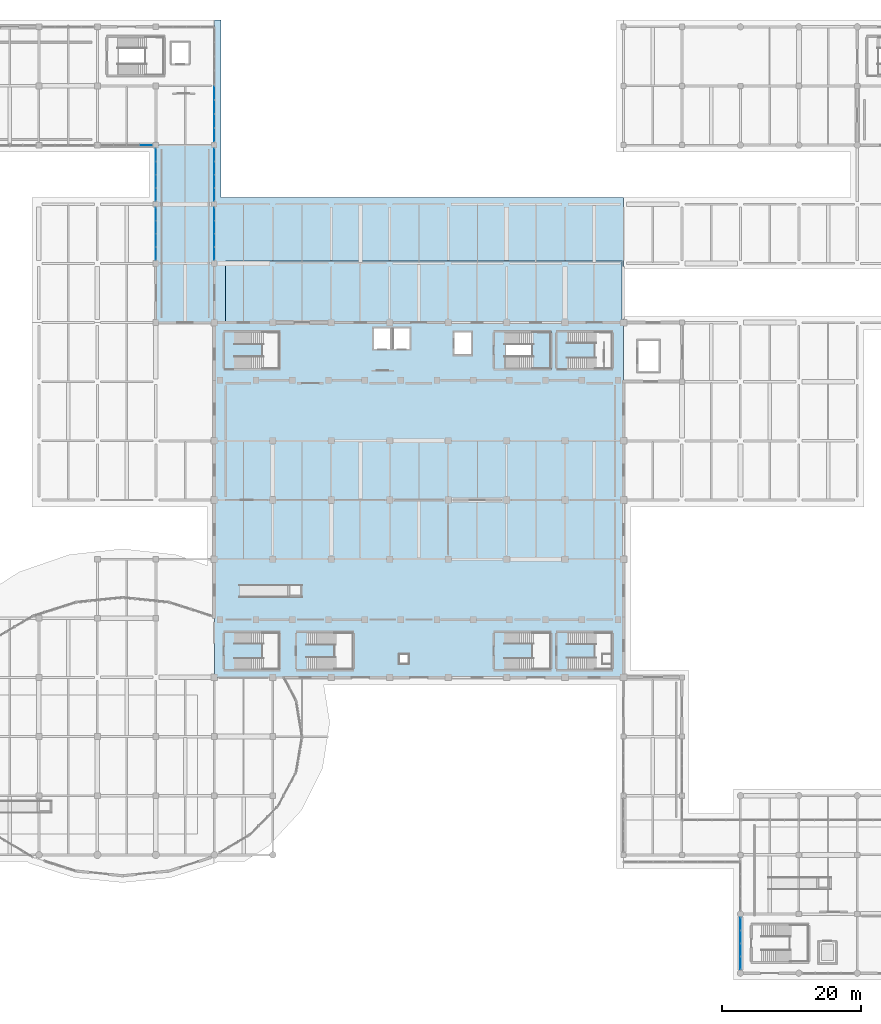
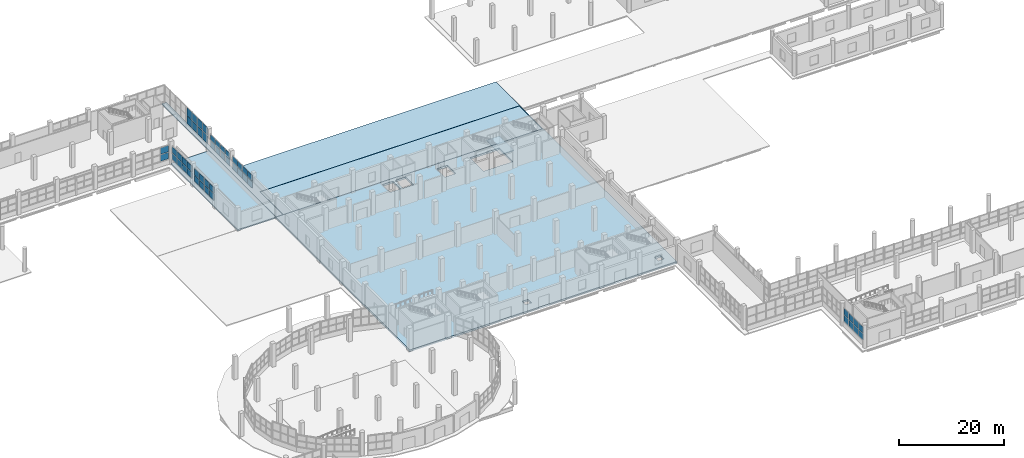
# One storey, part 79 of 107: 50 plates, 5 slabs, 8 elements without a shape of their own.
"""IFC4 building model written with IfcOpenShell, lengths in metres."""

from ifc_helpers import new_model, si_unit, direction, frame, origin, origin_2d, place, context, subcontext, project, spatial, polyline, rectangle, outline, extrude, material, layer, layer_set, type_object, element, aggregate, save


model = new_model("IFC4")

# Units and contexts
model_context = context("Model", 3, precision=1e-05, world=origin(), true_north=direction((0.0, 1.0)))
body_context = subcontext(model_context, "Body", "Model", "MODEL_VIEW")
ifc_project = project(units=[si_unit("LENGTHUNIT", "METRE"), si_unit("AREAUNIT", "SQUARE_METRE"), si_unit("VOLUMEUNIT", "CUBIC_METRE"), si_unit("PLANEANGLEUNIT", "RADIAN"), si_unit("MASSUNIT", "GRAM", prefix="KILO")], contexts=[model_context])

# Site, building, storey
site_placement = place(None, origin())
site = spatial("IfcSite", under=ifc_project, at=site_placement, CompositionType="ELEMENT")
building_placement = place(site_placement, origin())
building = spatial("IfcBuilding", under=site, at=building_placement, Name="Solvento Point Concert Hall", CompositionType="ELEMENT")
storey_placement = place(building_placement, origin())
storey = spatial("IfcBuildingStorey", under=building, at=storey_placement, Name="L00", CompositionType="ELEMENT", Elevation=0.0)

# Curtain wall, plates
ifc_material_1 = material(Name="Anodized Bronze Aluminium", Category="aluminium")
curtain_wall_type_1 = type_object("IfcCurtainWallType", Name="CurtainWall_CafeVeranda", PredefinedType="USERDEFINED", material=ifc_material_1)
curtain_wall_1_placement = place(storey_placement, origin())
curtain_wall_1 = element("IfcCurtainWall", 1, at=curtain_wall_1_placement, inside=storey, type_object=curtain_wall_type_1, Name="Unitised curtain wall CW-42 UCW-L00-052", ObjectType="UNITISED CURTAIN WALL", PredefinedType="USERDEFINED")
ifc_material_2 = material(Name="Hurricane Laminated Low-E Glass", Category="glass")
plate_type_1 = type_object("IfcPlateType", Name="CurtainPanel_CafeVeranda", PredefinedType="CURTAIN_PANEL", material=ifc_material_2)
plate_1_placement = place(storey_placement, frame((150.0, 1.4375, 1.239990234375), z_axis=(0.0, 0.0, 1.0), x_axis=(0.0, 1.0, 0.0)))
plate_1 = element("IfcPlate", 2, at=plate_1_placement, type_object=plate_type_1, Name="Glazed curtain panel GL-04", PredefinedType="CURTAIN_PANEL", context=body_context, shape_type="SweptSolid", body=[
    extrude(rectangle(XDim=1.7548828125, YDim=0.0400390625, at=origin_2d()), origin(), (0.0, 0.0, 1.0), 1.43798828125),
])
plate_2_placement = place(storey_placement, frame((150.0, 1.4375, 2.798095703125), z_axis=(0.0, 0.0, 1.0), x_axis=(0.0, 1.0, 0.0)))
plate_2 = element("IfcPlate", 3, at=plate_2_placement, type_object=plate_type_1, Name="Glazed curtain panel GL-04", PredefinedType="CURTAIN_PANEL", context=body_context, shape_type="SweptSolid", body=[
    extrude(rectangle(XDim=1.7548828125, YDim=0.0400390625, at=origin_2d()), origin(), (0.0, 0.0, 1.0), 1.43798828125),
])
plate_3_placement = place(storey_placement, frame((150.0, 3.3125, 1.239990234375), z_axis=(0.0, 0.0, 1.0), x_axis=(0.0, 1.0, 0.0)))
plate_3 = element("IfcPlate", 4, at=plate_3_placement, type_object=plate_type_1, Name="Glazed curtain panel GL-04", PredefinedType="CURTAIN_PANEL", context=body_context, shape_type="SweptSolid", body=[
    extrude(rectangle(XDim=1.7548828125, YDim=0.0400390625, at=origin_2d()), origin(), (0.0, 0.0, 1.0), 1.43798828125),
])
plate_4_placement = place(storey_placement, frame((150.0, 3.3125, 2.798095703125), z_axis=(0.0, 0.0, 1.0), x_axis=(0.0, 1.0, 0.0)))
plate_4 = element("IfcPlate", 5, at=plate_4_placement, type_object=plate_type_1, Name="Glazed curtain panel GL-04", PredefinedType="CURTAIN_PANEL", context=body_context, shape_type="SweptSolid", body=[
    extrude(rectangle(XDim=1.7548828125, YDim=0.0400390625, at=origin_2d()), origin(), (0.0, 0.0, 1.0), 1.43798828125),
])
plate_5_placement = place(storey_placement, frame((150.0, 5.1875, 1.239990234375), z_axis=(0.0, 0.0, 1.0), x_axis=(0.0, 1.0, 0.0)))
plate_5 = element("IfcPlate", 6, at=plate_5_placement, type_object=plate_type_1, Name="Glazed curtain panel GL-04", PredefinedType="CURTAIN_PANEL", context=body_context, shape_type="SweptSolid", body=[
    extrude(rectangle(XDim=1.7548828125, YDim=0.0400390625, at=origin_2d()), origin(), (0.0, 0.0, 1.0), 1.43798828125),
])
plate_6_placement = place(storey_placement, frame((150.0, 5.1875, 2.798095703125), z_axis=(0.0, 0.0, 1.0), x_axis=(0.0, 1.0, 0.0)))
plate_6 = element("IfcPlate", 7, at=plate_6_placement, type_object=plate_type_1, Name="Glazed curtain panel GL-04", PredefinedType="CURTAIN_PANEL", context=body_context, shape_type="SweptSolid", body=[
    extrude(rectangle(XDim=1.7548828125, YDim=0.0400390625, at=origin_2d()), origin(), (0.0, 0.0, 1.0), 1.43798828125),
])
plate_7_placement = place(storey_placement, frame((150.0, 7.0625, 1.239990234375), z_axis=(0.0, 0.0, 1.0), x_axis=(0.0, 1.0, 0.0)))
plate_7 = element("IfcPlate", 8, at=plate_7_placement, type_object=plate_type_1, Name="Glazed curtain panel GL-04", PredefinedType="CURTAIN_PANEL", context=body_context, shape_type="SweptSolid", body=[
    extrude(rectangle(XDim=1.7548828125, YDim=0.0400390625, at=origin_2d()), origin(), (0.0, 0.0, 1.0), 1.43798828125),
])
plate_8_placement = place(storey_placement, frame((150.0, 7.0625, 2.798095703125), z_axis=(0.0, 0.0, 1.0), x_axis=(0.0, 1.0, 0.0)))
plate_8 = element("IfcPlate", 9, at=plate_8_placement, type_object=plate_type_1, Name="Glazed curtain panel GL-04", PredefinedType="CURTAIN_PANEL", context=body_context, shape_type="SweptSolid", body=[
    extrude(rectangle(XDim=1.7548828125, YDim=0.0400390625, at=origin_2d()), origin(), (0.0, 0.0, 1.0), 1.43798828125),
])
aggregate(curtain_wall_1, [plate_1, plate_2, plate_3, plate_4, plate_5, plate_6, plate_7, plate_8])

ifc_material_3 = material(Name="Anodized Bronze Aluminium", Category="aluminium")
curtain_wall_type_2 = type_object("IfcCurtainWallType", Name="CurtainWall_CourtPilotis", PredefinedType="USERDEFINED", material=ifc_material_3)
curtain_wall_2_placement = place(storey_placement, origin())
curtain_wall_2 = element("IfcCurtainWall", 10, at=curtain_wall_2_placement, inside=storey, type_object=curtain_wall_type_2, Name="Unitised curtain wall CW-96 UCW-L00-020", ObjectType="UNITISED CURTAIN WALL", PredefinedType="USERDEFINED")
ifc_material_4 = material(Name="Hurricane Laminated Low-E Glass", Category="glass")
plate_type_2 = type_object("IfcPlateType", Name="CurtainPanel_CourtPilotis", PredefinedType="CURTAIN_PANEL", material=ifc_material_4)
plate_9_placement = place(storey_placement, frame((66.0, 103.407470703125, 1.239990234375), z_axis=(0.0, 0.0, 1.0), x_axis=(0.0, 1.0, 0.0)))
plate_9 = element("IfcPlate", 11, at=plate_9_placement, type_object=plate_type_2, Name="Glazed curtain panel GL-06", PredefinedType="CURTAIN_PANEL", context=body_context, shape_type="SweptSolid", body=[
    extrude(rectangle(XDim=1.77490234375, YDim=0.030029296875, at=origin_2d()), origin(), (0.0, 0.0, 1.0), 1.4755859375),
])
plate_10_placement = place(storey_placement, frame((66.0, 103.407470703125, 2.83544921875), z_axis=(0.0, 0.0, 1.0), x_axis=(0.0, 1.0, 0.0)))
plate_10 = element("IfcPlate", 12, at=plate_10_placement, type_object=plate_type_2, Name="Glazed curtain panel GL-06", PredefinedType="CURTAIN_PANEL", context=body_context, shape_type="SweptSolid", body=[
    extrude(rectangle(XDim=1.77490234375, YDim=0.030029296875, at=origin_2d()), origin(), (0.0, 0.0, 1.0), 1.4755859375),
])
plate_11_placement = place(storey_placement, frame((66.0, 105.302490234375, 1.239990234375), z_axis=(0.0, 0.0, 1.0), x_axis=(0.0, 1.0, 0.0)))
plate_11 = element("IfcPlate", 13, at=plate_11_placement, type_object=plate_type_2, Name="Glazed curtain panel GL-06", PredefinedType="CURTAIN_PANEL", context=body_context, shape_type="SweptSolid", body=[
    extrude(rectangle(XDim=1.77490234375, YDim=0.030029296875, at=origin_2d()), origin(), (0.0, 0.0, 1.0), 1.4755859375),
])
plate_12_placement = place(storey_placement, frame((66.0, 105.302490234375, 2.83544921875), z_axis=(0.0, 0.0, 1.0), x_axis=(0.0, 1.0, 0.0)))
plate_12 = element("IfcPlate", 14, at=plate_12_placement, type_object=plate_type_2, Name="Glazed curtain panel GL-06", PredefinedType="CURTAIN_PANEL", context=body_context, shape_type="SweptSolid", body=[
    extrude(rectangle(XDim=1.77490234375, YDim=0.030029296875, at=origin_2d()), origin(), (0.0, 0.0, 1.0), 1.4755859375),
])
plate_13_placement = place(storey_placement, frame((66.0, 107.197509765625, 1.239990234375), z_axis=(0.0, 0.0, 1.0), x_axis=(0.0, 1.0, 0.0)))
plate_13 = element("IfcPlate", 15, at=plate_13_placement, type_object=plate_type_2, Name="Glazed curtain panel GL-06", PredefinedType="CURTAIN_PANEL", context=body_context, shape_type="SweptSolid", body=[
    extrude(rectangle(XDim=1.77490234375, YDim=0.030029296875, at=origin_2d()), origin(), (0.0, 0.0, 1.0), 1.4755859375),
])
plate_14_placement = place(storey_placement, frame((66.0, 107.197509765625, 2.83544921875), z_axis=(0.0, 0.0, 1.0), x_axis=(0.0, 1.0, 0.0)))
plate_14 = element("IfcPlate", 16, at=plate_14_placement, type_object=plate_type_2, Name="Glazed curtain panel GL-06", PredefinedType="CURTAIN_PANEL", context=body_context, shape_type="SweptSolid", body=[
    extrude(rectangle(XDim=1.77490234375, YDim=0.030029296875, at=origin_2d()), origin(), (0.0, 0.0, 1.0), 1.4755859375),
])
plate_15_placement = place(storey_placement, frame((66.0, 109.092529296875, 1.239990234375), z_axis=(0.0, 0.0, 1.0), x_axis=(0.0, 1.0, 0.0)))
plate_15 = element("IfcPlate", 17, at=plate_15_placement, type_object=plate_type_2, Name="Glazed curtain panel GL-06", PredefinedType="CURTAIN_PANEL", context=body_context, shape_type="SweptSolid", body=[
    extrude(rectangle(XDim=1.77490234375, YDim=0.030029296875, at=origin_2d()), origin(), (0.0, 0.0, 1.0), 1.4755859375),
])
plate_16_placement = place(storey_placement, frame((66.0, 109.092529296875, 2.83544921875), z_axis=(0.0, 0.0, 1.0), x_axis=(0.0, 1.0, 0.0)))
plate_16 = element("IfcPlate", 18, at=plate_16_placement, type_object=plate_type_2, Name="Glazed curtain panel GL-06", PredefinedType="CURTAIN_PANEL", context=body_context, shape_type="SweptSolid", body=[
    extrude(rectangle(XDim=1.77490234375, YDim=0.030029296875, at=origin_2d()), origin(), (0.0, 0.0, 1.0), 1.4755859375),
])
aggregate(curtain_wall_2, [plate_9, plate_10, plate_11, plate_12, plate_13, plate_14, plate_15, plate_16])

curtain_wall_3_placement = place(storey_placement, origin())
curtain_wall_3 = element("IfcCurtainWall", 19, at=curtain_wall_3_placement, inside=storey, type_object=curtain_wall_type_2, Name="Unitised curtain wall CW-96 UCW-L00-021", ObjectType="UNITISED CURTAIN WALL", PredefinedType="USERDEFINED")
plate_17_placement = place(storey_placement, frame((66.0, 111.907470703125, 1.239990234375), z_axis=(0.0, 0.0, 1.0), x_axis=(0.0, 1.0, 0.0)))
plate_17 = element("IfcPlate", 20, at=plate_17_placement, type_object=plate_type_2, Name="Glazed curtain panel GL-06", PredefinedType="CURTAIN_PANEL", context=body_context, shape_type="SweptSolid", body=[
    extrude(rectangle(XDim=1.77490234375, YDim=0.030029296875, at=origin_2d()), origin(), (0.0, 0.0, 1.0), 1.43701171875),
])
plate_18_placement = place(storey_placement, frame((66.0, 111.907470703125, 2.796875), z_axis=(0.0, 0.0, 1.0), x_axis=(0.0, 1.0, 0.0)))
plate_18 = element("IfcPlate", 21, at=plate_18_placement, type_object=plate_type_2, Name="Glazed curtain panel GL-06", PredefinedType="CURTAIN_PANEL", context=body_context, shape_type="SweptSolid", body=[
    extrude(rectangle(XDim=1.77490234375, YDim=0.030029296875, at=origin_2d()), origin(), (0.0, 0.0, 1.0), 1.43701171875),
])
plate_19_placement = place(storey_placement, frame((66.0, 113.802490234375, 1.239990234375), z_axis=(0.0, 0.0, 1.0), x_axis=(0.0, 1.0, 0.0)))
plate_19 = element("IfcPlate", 22, at=plate_19_placement, type_object=plate_type_2, Name="Glazed curtain panel GL-06", PredefinedType="CURTAIN_PANEL", context=body_context, shape_type="SweptSolid", body=[
    extrude(rectangle(XDim=1.77490234375, YDim=0.030029296875, at=origin_2d()), origin(), (0.0, 0.0, 1.0), 1.43701171875),
])
plate_20_placement = place(storey_placement, frame((66.0, 113.802490234375, 2.796875), z_axis=(0.0, 0.0, 1.0), x_axis=(0.0, 1.0, 0.0)))
plate_20 = element("IfcPlate", 23, at=plate_20_placement, type_object=plate_type_2, Name="Glazed curtain panel GL-06", PredefinedType="CURTAIN_PANEL", context=body_context, shape_type="SweptSolid", body=[
    extrude(rectangle(XDim=1.77490234375, YDim=0.030029296875, at=origin_2d()), origin(), (0.0, 0.0, 1.0), 1.43701171875),
])
plate_21_placement = place(storey_placement, frame((66.0, 115.697509765625, 1.239990234375), z_axis=(0.0, 0.0, 1.0), x_axis=(0.0, 1.0, 0.0)))
plate_21 = element("IfcPlate", 24, at=plate_21_placement, type_object=plate_type_2, Name="Glazed curtain panel GL-06", PredefinedType="CURTAIN_PANEL", context=body_context, shape_type="SweptSolid", body=[
    extrude(rectangle(XDim=1.77490234375, YDim=0.030029296875, at=origin_2d()), origin(), (0.0, 0.0, 1.0), 1.43701171875),
])
plate_22_placement = place(storey_placement, frame((66.0, 115.697509765625, 2.796875), z_axis=(0.0, 0.0, 1.0), x_axis=(0.0, 1.0, 0.0)))
plate_22 = element("IfcPlate", 25, at=plate_22_placement, type_object=plate_type_2, Name="Glazed curtain panel GL-06", PredefinedType="CURTAIN_PANEL", context=body_context, shape_type="SweptSolid", body=[
    extrude(rectangle(XDim=1.77490234375, YDim=0.030029296875, at=origin_2d()), origin(), (0.0, 0.0, 1.0), 1.43701171875),
])
plate_23_placement = place(storey_placement, frame((66.0, 117.592529296875, 1.239990234375), z_axis=(0.0, 0.0, 1.0), x_axis=(0.0, 1.0, 0.0)))
plate_23 = element("IfcPlate", 26, at=plate_23_placement, type_object=plate_type_2, Name="Glazed curtain panel GL-06", PredefinedType="CURTAIN_PANEL", context=body_context, shape_type="SweptSolid", body=[
    extrude(rectangle(XDim=1.77490234375, YDim=0.030029296875, at=origin_2d()), origin(), (0.0, 0.0, 1.0), 1.43701171875),
])
plate_24_placement = place(storey_placement, frame((66.0, 117.592529296875, 2.796875), z_axis=(0.0, 0.0, 1.0), x_axis=(0.0, 1.0, 0.0)))
plate_24 = element("IfcPlate", 27, at=plate_24_placement, type_object=plate_type_2, Name="Glazed curtain panel GL-06", PredefinedType="CURTAIN_PANEL", context=body_context, shape_type="SweptSolid", body=[
    extrude(rectangle(XDim=1.77490234375, YDim=0.030029296875, at=origin_2d()), origin(), (0.0, 0.0, 1.0), 1.43701171875),
])
aggregate(curtain_wall_3, [plate_17, plate_18, plate_19, plate_20, plate_21, plate_22, plate_23, plate_24])

curtain_wall_4_placement = place(storey_placement, origin())
curtain_wall_4 = element("IfcCurtainWall", 28, at=curtain_wall_4_placement, inside=storey, type_object=curtain_wall_type_2, Name="Unitised curtain wall CW-96 UCW-L00-026", ObjectType="UNITISED CURTAIN WALL", PredefinedType="USERDEFINED")
plate_25_placement = place(storey_placement, frame((64.60498046875, 119.0, 1.23974609375), z_axis=(0.0, 0.0, 1.0), x_axis=(1.0, 0.0, 0.0)))
plate_25 = element("IfcPlate", 29, at=plate_25_placement, type_object=plate_type_2, Name="Glazed curtain panel GL-06", PredefinedType="CURTAIN_PANEL", context=body_context, shape_type="SweptSolid", body=[
    extrude(rectangle(XDim=1.75, YDim=0.030029296875, at=origin_2d()), origin(), (0.0, 0.0, 1.0), 1.508056640625),
])
plate_26_placement = place(storey_placement, frame((64.60498046875, 119.0, 2.8681640625), z_axis=(0.0, 0.0, 1.0), x_axis=(1.0, 0.0, 0.0)))
plate_26 = element("IfcPlate", 30, at=plate_26_placement, type_object=plate_type_2, Name="Glazed curtain panel GL-06", PredefinedType="CURTAIN_PANEL", context=body_context, shape_type="SweptSolid", body=[
    extrude(rectangle(XDim=1.75, YDim=0.030029296875, at=origin_2d()), origin(), (0.0, 0.0, 1.0), 1.508056640625),
])
aggregate(curtain_wall_4, [plate_25, plate_26])

curtain_wall_5_placement = place(storey_placement, origin())
curtain_wall_5 = element("IfcCurtainWall", 31, at=curtain_wall_5_placement, inside=storey, type_object=curtain_wall_type_2, Name="Unitised curtain wall CW-96 UCW-L00-032", ObjectType="UNITISED CURTAIN WALL", PredefinedType="USERDEFINED")
plate_27_placement = place(storey_placement, frame((74.39990234375, 120.461181640625, 1.23974609375), z_axis=(0.0, 0.0, 1.0), x_axis=(0.0, 1.0, 0.0)))
plate_27 = element("IfcPlate", 32, at=plate_27_placement, type_object=plate_type_2, Name="Glazed curtain panel GL-06", PredefinedType="CURTAIN_PANEL", context=body_context, shape_type="SweptSolid", body=[
    extrude(rectangle(XDim=1.882568359375, YDim=0.030029296875, at=origin_2d()), origin(), (0.0, 0.0, 1.0), 1.820068359375),
])
plate_28_placement = place(storey_placement, frame((74.39990234375, 120.461181640625, 3.18017578125), z_axis=(0.0, 0.0, 1.0), x_axis=(0.0, 1.0, 0.0)))
plate_28 = element("IfcPlate", 33, at=plate_28_placement, type_object=plate_type_2, Name="Glazed curtain panel GL-06", PredefinedType="CURTAIN_PANEL", context=body_context, shape_type="SweptSolid", body=[
    extrude(rectangle(XDim=1.882568359375, YDim=0.030029296875, at=origin_2d()), origin(), (0.0, 0.0, 1.0), 1.820068359375),
])
plate_29_placement = place(storey_placement, frame((74.39990234375, 122.4638671875, 1.23974609375), z_axis=(0.0, 0.0, 1.0), x_axis=(0.0, 1.0, 0.0)))
plate_29 = element("IfcPlate", 34, at=plate_29_placement, type_object=plate_type_2, Name="Glazed curtain panel GL-06", PredefinedType="CURTAIN_PANEL", context=body_context, shape_type="SweptSolid", body=[
    extrude(rectangle(XDim=1.882568359375, YDim=0.030029296875, at=origin_2d()), origin(), (0.0, 0.0, 1.0), 1.820068359375),
])
plate_30_placement = place(storey_placement, frame((74.39990234375, 122.4638671875, 3.18017578125), z_axis=(0.0, 0.0, 1.0), x_axis=(0.0, 1.0, 0.0)))
plate_30 = element("IfcPlate", 35, at=plate_30_placement, type_object=plate_type_2, Name="Glazed curtain panel GL-06", PredefinedType="CURTAIN_PANEL", context=body_context, shape_type="SweptSolid", body=[
    extrude(rectangle(XDim=1.882568359375, YDim=0.030029296875, at=origin_2d()), origin(), (0.0, 0.0, 1.0), 1.820068359375),
])
plate_31_placement = place(storey_placement, frame((74.39990234375, 124.46630859375, 1.23974609375), z_axis=(0.0, 0.0, 1.0), x_axis=(0.0, 1.0, 0.0)))
plate_31 = element("IfcPlate", 36, at=plate_31_placement, type_object=plate_type_2, Name="Glazed curtain panel GL-06", PredefinedType="CURTAIN_PANEL", context=body_context, shape_type="SweptSolid", body=[
    extrude(rectangle(XDim=1.882568359375, YDim=0.030029296875, at=origin_2d()), origin(), (0.0, 0.0, 1.0), 1.820068359375),
])
plate_32_placement = place(storey_placement, frame((74.39990234375, 124.46630859375, 3.18017578125), z_axis=(0.0, 0.0, 1.0), x_axis=(0.0, 1.0, 0.0)))
plate_32 = element("IfcPlate", 37, at=plate_32_placement, type_object=plate_type_2, Name="Glazed curtain panel GL-06", PredefinedType="CURTAIN_PANEL", context=body_context, shape_type="SweptSolid", body=[
    extrude(rectangle(XDim=1.882568359375, YDim=0.030029296875, at=origin_2d()), origin(), (0.0, 0.0, 1.0), 1.820068359375),
])
plate_33_placement = place(storey_placement, frame((74.39990234375, 126.46875, 1.23974609375), z_axis=(0.0, 0.0, 1.0), x_axis=(0.0, 1.0, 0.0)))
plate_33 = element("IfcPlate", 38, at=plate_33_placement, type_object=plate_type_2, Name="Glazed curtain panel GL-06", PredefinedType="CURTAIN_PANEL", context=body_context, shape_type="SweptSolid", body=[
    extrude(rectangle(XDim=1.882568359375, YDim=0.030029296875, at=origin_2d()), origin(), (0.0, 0.0, 1.0), 1.820068359375),
])
plate_34_placement = place(storey_placement, frame((74.39990234375, 126.46875, 3.18017578125), z_axis=(0.0, 0.0, 1.0), x_axis=(0.0, 1.0, 0.0)))
plate_34 = element("IfcPlate", 39, at=plate_34_placement, type_object=plate_type_2, Name="Glazed curtain panel GL-06", PredefinedType="CURTAIN_PANEL", context=body_context, shape_type="SweptSolid", body=[
    extrude(rectangle(XDim=1.882568359375, YDim=0.030029296875, at=origin_2d()), origin(), (0.0, 0.0, 1.0), 1.820068359375),
])
aggregate(curtain_wall_5, [plate_27, plate_28, plate_29, plate_30, plate_31, plate_32, plate_33, plate_34])

curtain_wall_6_placement = place(storey_placement, origin())
curtain_wall_6 = element("IfcCurtainWall", 40, at=curtain_wall_6_placement, inside=storey, type_object=curtain_wall_type_2, Name="Unitised curtain wall CW-96 UCW-L00-034", ObjectType="UNITISED CURTAIN WALL", PredefinedType="USERDEFINED")
plate_35_placement = place(storey_placement, frame((74.39990234375, 103.407470703125, 1.239990234375), z_axis=(0.0, 0.0, 1.0), x_axis=(0.0, 1.0, 0.0)))
plate_35 = element("IfcPlate", 41, at=plate_35_placement, type_object=plate_type_2, Name="Glazed curtain panel GL-06", PredefinedType="CURTAIN_PANEL", context=body_context, shape_type="SweptSolid", body=[
    extrude(rectangle(XDim=1.77490234375, YDim=0.030029296875, at=origin_2d()), origin(), (0.0, 0.0, 1.0), 1.43701171875),
])
plate_36_placement = place(storey_placement, frame((74.39990234375, 103.407470703125, 2.796875), z_axis=(0.0, 0.0, 1.0), x_axis=(0.0, 1.0, 0.0)))
plate_36 = element("IfcPlate", 42, at=plate_36_placement, type_object=plate_type_2, Name="Glazed curtain panel GL-06", PredefinedType="CURTAIN_PANEL", context=body_context, shape_type="SweptSolid", body=[
    extrude(rectangle(XDim=1.77490234375, YDim=0.030029296875, at=origin_2d()), origin(), (0.0, 0.0, 1.0), 1.43701171875),
])
plate_37_placement = place(storey_placement, frame((74.39990234375, 105.302490234375, 1.239990234375), z_axis=(0.0, 0.0, 1.0), x_axis=(0.0, 1.0, 0.0)))
plate_37 = element("IfcPlate", 43, at=plate_37_placement, type_object=plate_type_2, Name="Glazed curtain panel GL-06", PredefinedType="CURTAIN_PANEL", context=body_context, shape_type="SweptSolid", body=[
    extrude(rectangle(XDim=1.77490234375, YDim=0.030029296875, at=origin_2d()), origin(), (0.0, 0.0, 1.0), 1.43701171875),
])
plate_38_placement = place(storey_placement, frame((74.39990234375, 105.302490234375, 2.796875), z_axis=(0.0, 0.0, 1.0), x_axis=(0.0, 1.0, 0.0)))
plate_38 = element("IfcPlate", 44, at=plate_38_placement, type_object=plate_type_2, Name="Glazed curtain panel GL-06", PredefinedType="CURTAIN_PANEL", context=body_context, shape_type="SweptSolid", body=[
    extrude(rectangle(XDim=1.77490234375, YDim=0.030029296875, at=origin_2d()), origin(), (0.0, 0.0, 1.0), 1.43701171875),
])
plate_39_placement = place(storey_placement, frame((74.39990234375, 107.197509765625, 1.239990234375), z_axis=(0.0, 0.0, 1.0), x_axis=(0.0, 1.0, 0.0)))
plate_39 = element("IfcPlate", 45, at=plate_39_placement, type_object=plate_type_2, Name="Glazed curtain panel GL-06", PredefinedType="CURTAIN_PANEL", context=body_context, shape_type="SweptSolid", body=[
    extrude(rectangle(XDim=1.77490234375, YDim=0.030029296875, at=origin_2d()), origin(), (0.0, 0.0, 1.0), 1.43701171875),
])
plate_40_placement = place(storey_placement, frame((74.39990234375, 107.197509765625, 2.796875), z_axis=(0.0, 0.0, 1.0), x_axis=(0.0, 1.0, 0.0)))
plate_40 = element("IfcPlate", 46, at=plate_40_placement, type_object=plate_type_2, Name="Glazed curtain panel GL-06", PredefinedType="CURTAIN_PANEL", context=body_context, shape_type="SweptSolid", body=[
    extrude(rectangle(XDim=1.77490234375, YDim=0.030029296875, at=origin_2d()), origin(), (0.0, 0.0, 1.0), 1.43701171875),
])
plate_41_placement = place(storey_placement, frame((74.39990234375, 109.092529296875, 1.239990234375), z_axis=(0.0, 0.0, 1.0), x_axis=(0.0, 1.0, 0.0)))
plate_41 = element("IfcPlate", 47, at=plate_41_placement, type_object=plate_type_2, Name="Glazed curtain panel GL-06", PredefinedType="CURTAIN_PANEL", context=body_context, shape_type="SweptSolid", body=[
    extrude(rectangle(XDim=1.77490234375, YDim=0.030029296875, at=origin_2d()), origin(), (0.0, 0.0, 1.0), 1.43701171875),
])
plate_42_placement = place(storey_placement, frame((74.39990234375, 109.092529296875, 2.796875), z_axis=(0.0, 0.0, 1.0), x_axis=(0.0, 1.0, 0.0)))
plate_42 = element("IfcPlate", 48, at=plate_42_placement, type_object=plate_type_2, Name="Glazed curtain panel GL-06", PredefinedType="CURTAIN_PANEL", context=body_context, shape_type="SweptSolid", body=[
    extrude(rectangle(XDim=1.77490234375, YDim=0.030029296875, at=origin_2d()), origin(), (0.0, 0.0, 1.0), 1.43701171875),
])
aggregate(curtain_wall_6, [plate_35, plate_36, plate_37, plate_38, plate_39, plate_40, plate_41, plate_42])

curtain_wall_7_placement = place(storey_placement, origin())
curtain_wall_7 = element("IfcCurtainWall", 49, at=curtain_wall_7_placement, inside=storey, type_object=curtain_wall_type_2, Name="Unitised curtain wall CW-96 UCW-L00-035", ObjectType="UNITISED CURTAIN WALL", PredefinedType="USERDEFINED")
plate_43_placement = place(storey_placement, frame((74.39990234375, 111.907470703125, 1.239990234375), z_axis=(0.0, 0.0, 1.0), x_axis=(0.0, 1.0, 0.0)))
plate_43 = element("IfcPlate", 50, at=plate_43_placement, type_object=plate_type_2, Name="Glazed curtain panel GL-06", PredefinedType="CURTAIN_PANEL", context=body_context, shape_type="SweptSolid", body=[
    extrude(rectangle(XDim=1.77490234375, YDim=0.030029296875, at=origin_2d()), origin(), (0.0, 0.0, 1.0), 1.392578125),
])
plate_44_placement = place(storey_placement, frame((74.39990234375, 111.907470703125, 2.75244140625), z_axis=(0.0, 0.0, 1.0), x_axis=(0.0, 1.0, 0.0)))
plate_44 = element("IfcPlate", 51, at=plate_44_placement, type_object=plate_type_2, Name="Glazed curtain panel GL-06", PredefinedType="CURTAIN_PANEL", context=body_context, shape_type="SweptSolid", body=[
    extrude(rectangle(XDim=1.77490234375, YDim=0.030029296875, at=origin_2d()), origin(), (0.0, 0.0, 1.0), 1.392578125),
])
plate_45_placement = place(storey_placement, frame((74.39990234375, 113.802490234375, 1.239990234375), z_axis=(0.0, 0.0, 1.0), x_axis=(0.0, 1.0, 0.0)))
plate_45 = element("IfcPlate", 52, at=plate_45_placement, type_object=plate_type_2, Name="Glazed curtain panel GL-06", PredefinedType="CURTAIN_PANEL", context=body_context, shape_type="SweptSolid", body=[
    extrude(rectangle(XDim=1.77490234375, YDim=0.030029296875, at=origin_2d()), origin(), (0.0, 0.0, 1.0), 1.392578125),
])
plate_46_placement = place(storey_placement, frame((74.39990234375, 113.802490234375, 2.75244140625), z_axis=(0.0, 0.0, 1.0), x_axis=(0.0, 1.0, 0.0)))
plate_46 = element("IfcPlate", 53, at=plate_46_placement, type_object=plate_type_2, Name="Glazed curtain panel GL-06", PredefinedType="CURTAIN_PANEL", context=body_context, shape_type="SweptSolid", body=[
    extrude(rectangle(XDim=1.77490234375, YDim=0.030029296875, at=origin_2d()), origin(), (0.0, 0.0, 1.0), 1.392578125),
])
plate_47_placement = place(storey_placement, frame((74.39990234375, 115.697509765625, 1.239990234375), z_axis=(0.0, 0.0, 1.0), x_axis=(0.0, 1.0, 0.0)))
plate_47 = element("IfcPlate", 54, at=plate_47_placement, type_object=plate_type_2, Name="Glazed curtain panel GL-06", PredefinedType="CURTAIN_PANEL", context=body_context, shape_type="SweptSolid", body=[
    extrude(rectangle(XDim=1.77490234375, YDim=0.030029296875, at=origin_2d()), origin(), (0.0, 0.0, 1.0), 1.392578125),
])
plate_48_placement = place(storey_placement, frame((74.39990234375, 115.697509765625, 2.75244140625), z_axis=(0.0, 0.0, 1.0), x_axis=(0.0, 1.0, 0.0)))
plate_48 = element("IfcPlate", 55, at=plate_48_placement, type_object=plate_type_2, Name="Glazed curtain panel GL-06", PredefinedType="CURTAIN_PANEL", context=body_context, shape_type="SweptSolid", body=[
    extrude(rectangle(XDim=1.77490234375, YDim=0.030029296875, at=origin_2d()), origin(), (0.0, 0.0, 1.0), 1.392578125),
])
plate_49_placement = place(storey_placement, frame((74.39990234375, 117.592529296875, 1.239990234375), z_axis=(0.0, 0.0, 1.0), x_axis=(0.0, 1.0, 0.0)))
plate_49 = element("IfcPlate", 56, at=plate_49_placement, type_object=plate_type_2, Name="Glazed curtain panel GL-06", PredefinedType="CURTAIN_PANEL", context=body_context, shape_type="SweptSolid", body=[
    extrude(rectangle(XDim=1.77490234375, YDim=0.030029296875, at=origin_2d()), origin(), (0.0, 0.0, 1.0), 1.392578125),
])
plate_50_placement = place(storey_placement, frame((74.39990234375, 117.592529296875, 2.75244140625), z_axis=(0.0, 0.0, 1.0), x_axis=(0.0, 1.0, 0.0)))
plate_50 = element("IfcPlate", 57, at=plate_50_placement, type_object=plate_type_2, Name="Glazed curtain panel GL-06", PredefinedType="CURTAIN_PANEL", context=body_context, shape_type="SweptSolid", body=[
    extrude(rectangle(XDim=1.77490234375, YDim=0.030029296875, at=origin_2d()), origin(), (0.0, 0.0, 1.0), 1.392578125),
])
aggregate(curtain_wall_7, [plate_43, plate_44, plate_45, plate_46, plate_47, plate_48, plate_49, plate_50])

# Slabs
ifc_material_5 = material(Name="Concrete C35/45", Category="concrete")
ifc_layer_1 = layer(ifc_material_5, 0.300048828125)
ifc_layer_set_1 = layer_set([ifc_layer_1], Name="Concrete C35/45")
slab_type_1 = type_object("IfcSlabType", Name="FloorSlab_300", PredefinedType="FLOOR", material=ifc_layer_set_1)
slab_1_placement = place(storey_placement, frame((0.0, 0.0, -0.300048828125)))
element("IfcSlab", 58, at=slab_1_placement, inside=storey, type_object=slab_type_1, Name="Structural slab SL-L00 SLAB-L00-V4L", PredefinedType="FLOOR", context=body_context, shape_type="SweptSolid", body=[
    extrude(outline(polyline([(66.0, 119.0), (74.39990234375, 119.0), (74.39990234375, 93.5), (66.0, 93.5), (66.0, 119.0)])), origin(), (0.0, 0.0, 1.0), 0.300048828125),
])
ifc_material_6 = material(Name="Concrete C35/45", Category="concrete")
ifc_layer_2 = layer(ifc_material_6, 0.429931640625)
ifc_layer_set_2 = layer_set([ifc_layer_2], Name="Concrete C35/45")
slab_type_2 = type_object("IfcSlabType", Name="FloorSlab_430_HallGnd", PredefinedType="FLOOR", material=ifc_layer_set_2)
slab_2_placement = place(storey_placement, frame((0.0, 0.0, -0.429931640625)))
element("IfcSlab", 59, at=slab_2_placement, inside=storey, type_object=slab_type_2, Name="Structural slab SL-G43 SLAB-L00-V1", PredefinedType="FLOOR", context=body_context, shape_type="SweptSolid", body=[
    extrude(outline(polyline([(74.39990234375, 93.5), (133.199951171875, 93.5), (133.199951171875, 42.5), (74.39990234375, 42.5), (74.39990234375, 93.5)]), holes=[polyline([(131.5, 45.800048828125), (130.199951171875, 45.800048828125), (130.199951171875, 44.5), (131.5, 44.5), (131.5, 45.800048828125)]), polyline([(122.699951171875, 92.10009765625), (116.25, 92.10009765625), (116.25, 86.89990234375), (122.699951171875, 86.89990234375), (122.699951171875, 92.10009765625)]), polyline([(111.280029296875, 92.080078125), (108.919921875, 92.080078125), (108.919921875, 88.919921875), (111.280029296875, 88.919921875), (111.280029296875, 92.080078125)]), polyline([(102.47998046875, 92.679931640625), (100.1201171875, 92.679931640625), (100.1201171875, 89.719970703125), (102.47998046875, 89.719970703125), (102.47998046875, 92.679931640625)]), polyline([(102.300048828125, 45.800048828125), (101.0, 45.800048828125), (101.0, 44.5), (102.300048828125, 44.5), (102.300048828125, 45.800048828125)]), polyline([(99.679931640625, 92.679931640625), (97.320068359375, 92.679931640625), (97.320068359375, 89.719970703125), (99.679931640625, 89.719970703125), (99.679931640625, 92.679931640625)])]), origin(), (0.0, 0.0, 1.0), 0.429931640625),
])

# Stair, slab
ifc_material_7 = material(Name="Concrete C35/45", Category="concrete")
stair_type = type_object("IfcStairType", Name="CoreStair_1760", PredefinedType="HALF_TURN_STAIR", material=ifc_material_7)
stair_placement = place(storey_placement, origin())
stair = element("IfcStair", 60, at=stair_placement, inside=storey, type_object=stair_type, Name="Protected exit stair ST-03 (L00 to L01)", PredefinedType="HALF_TURN_STAIR")
ifc_material_8 = material(Name="Concrete C35/45", Category="concrete")
ifc_layer_3 = layer(ifc_material_8, 0.179931640625)
ifc_layer_set_3 = layer_set([ifc_layer_3], Name="Concrete C35/45")
slab_type_3 = type_object("IfcSlabType", Name="StairLanding_180", PredefinedType="LANDING", material=ifc_layer_set_3)
slab_3_placement = place(storey_placement, frame((0.0, 0.0, 2.52001953125)))
slab_3 = element("IfcSlab", 61, at=slab_3_placement, type_object=slab_type_3, Name="Stair half-landing ST-03 L00", PredefinedType="LANDING", context=body_context, shape_type="SweptSolid", body=[
    extrude(outline(polyline([(120.0, 86.760009765625), (122.840087890625, 86.760009765625), (122.840087890625, 92.239990234375), (120.0, 92.239990234375), (120.0, 86.760009765625)])), origin(), (0.0, 0.0, 1.0), 0.179931640625),
])
aggregate(stair, [slab_3])

# Slabs
ifc_material_9 = material(Name="Concrete C40/50", Category="concrete")
ifc_layer_4 = layer(ifc_material_9, 0.239990234375)
ifc_layer_set_4 = layer_set([ifc_layer_4], Name="Concrete C40/50")
slab_type_4 = type_object("IfcSlabType", Name="TerraceSlab_250", PredefinedType="FLOOR", material=ifc_layer_set_4)
slab_4_placement = place(storey_placement, frame((0.0, 0.0, -0.239990234375)))
element("IfcSlab", 62, at=slab_4_placement, inside=storey, type_object=slab_type_4, Name="Outdoor public terrace deck L00", PredefinedType="FLOOR", context=body_context, shape_type="SweptSolid", body=[
    extrude(outline(polyline([(76.0, 93.5), (76.0, 102.300048828125), (133.0, 102.300048828125), (133.0, 93.5), (76.0, 93.5)])), origin(), (0.0, 0.0, 1.0), 0.239990234375),
])
slab_5_placement = place(storey_placement, frame((0.0, 0.0, -0.239990234375)))
element("IfcSlab", 63, at=slab_5_placement, inside=storey, type_object=slab_type_4, Name="Outdoor public terrace deck L00", PredefinedType="FLOOR", context=body_context, shape_type="SweptSolid", body=[
    extrude(outline(polyline([(74.425048828125, 93.52490234375), (74.419921875, 136.97998046875), (75.3798828125, 136.97998046875), (75.3798828125, 111.47998046875), (133.179931640625, 111.47998046875), (133.179931640625, 93.52490234375), (133.02490234375, 93.52490234375), (133.02490234375, 102.324951171875), (75.97509765625, 102.324951171875), (75.97509765625, 93.52490234375), (74.425048828125, 93.52490234375)])), origin(), (0.0, 0.0, 1.0), 0.239990234375),
])

save(model, "model.ifc")
